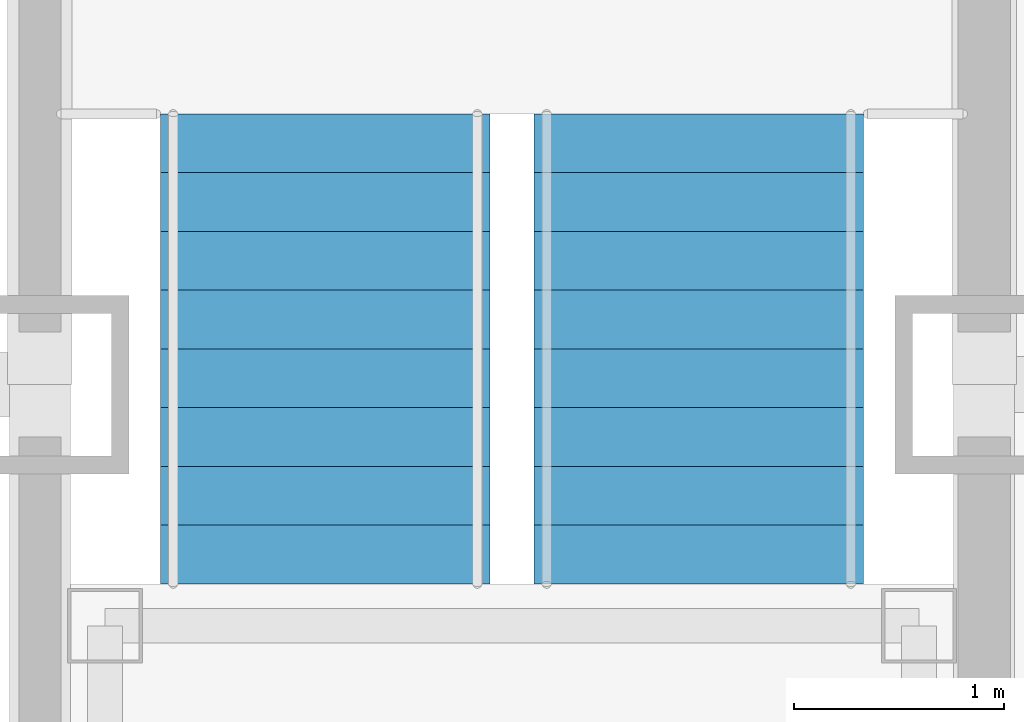
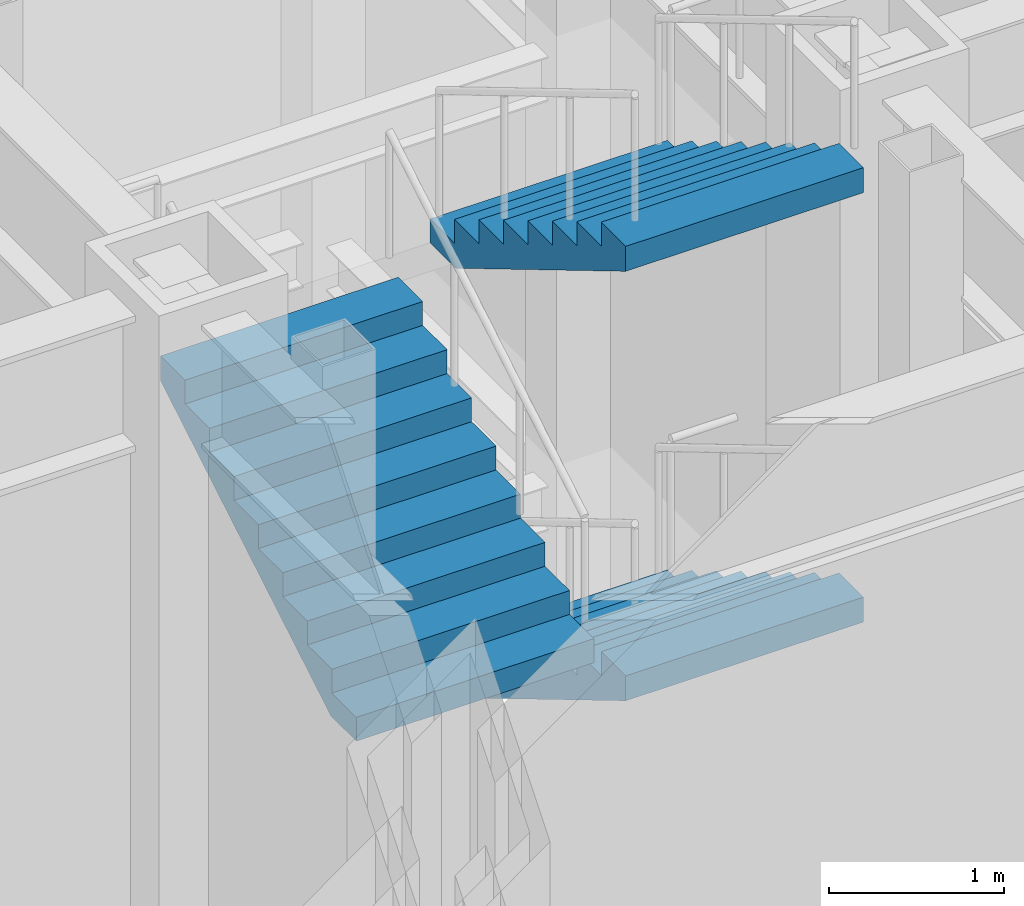
# One storey, part 22 of 31: 3 stair flights, 1 element without a shape of its own.
"""IFC4 building model written with IfcOpenShell, lengths in metres."""

from ifc_helpers import new_model, si_unit, direction, frame, origin, place, context, subcontext, project, spatial, faceted_brep, material, type_object, element, aggregate, save


model = new_model("IFC4")

# Units and contexts
model_context = context("Model", 3, precision=1e-05, world=origin(), true_north=direction((0.0, 1.0)))
body_context = subcontext(model_context, "Body", "Model", "MODEL_VIEW")
ifc_project = project(units=[si_unit("LENGTHUNIT", "METRE"), si_unit("AREAUNIT", "SQUARE_METRE"), si_unit("VOLUMEUNIT", "CUBIC_METRE"), si_unit("PLANEANGLEUNIT", "RADIAN"), si_unit("MASSUNIT", "GRAM", prefix="KILO")], contexts=[model_context])

# Site, building, storey
site_placement = place(None, origin())
site = spatial("IfcSite", under=ifc_project, at=site_placement, CompositionType="ELEMENT")
building_placement = place(site_placement, origin())
building = spatial("IfcBuilding", under=site, at=building_placement, Name="Chuquiago Exchange Tower", CompositionType="ELEMENT")
storey_placement = place(building_placement, frame((0.0, 0.0, 96.300048828125)))
storey = spatial("IfcBuildingStorey", under=building, at=storey_placement, Name="L20", CompositionType="ELEMENT", Elevation=96.300048828125)

# Stair, stair flights
ifc_material_1 = material(Name="Concrete C30/37, precast", Category="concrete")
stair_type = type_object("IfcStairType", Name="ST2 double half-turn stair 6000", PredefinedType="DOUBLE_RETURN_STAIR", material=ifc_material_1)
stair_placement = place(storey_placement, origin())
stair = element("IfcStair", 1, at=stair_placement, inside=storey, type_object=stair_type, Name="Stair ST2 L20", PredefinedType="DOUBLE_RETURN_STAIR")
ifc_material_2 = material(Name="Concrete C30/37, precast", Category="concrete")
stair_flight_type = type_object("IfcStairFlightType", Name="ST-F flight 1570 for 6000 storey", PredefinedType="STRAIGHT", material=ifc_material_2)
stair_flight_1_placement = place(storey_placement, frame((31.639892578125, 25.2900390625, 1.5), z_axis=(0.0, 0.0, 1.0), x_axis=(0.0, -1.0, 0.0)))
stair_flight_1 = element("IfcStairFlight", 2, at=stair_flight_1_placement, type_object=stair_flight_type, Name="ST2 flight 2", NumberOfRisers=9, NumberOfTreads=8, PredefinedType="STRAIGHT", RiserHeight=0.166666667, TreadLength=0.28, context=body_context, shape_type="Brep", body=[
    faceted_brep([(0.0, 0.78515625, 0.0), (0.0, 0.78515625, 0.166748046875), (0.280029296875, 0.78515625, 0.166748046875), (0.280029296875, 0.78515625, 0.333251953125), (0.56005859375, 0.78515625, 0.333251953125), (0.56005859375, 0.78515625, 0.5), (0.840087890625, 0.78515625, 0.5), (0.840087890625, 0.78515625, 0.666748046875), (1.1201171875, 0.78515625, 0.666748046875), (1.1201171875, 0.78515625, 0.833251953125), (1.39990234375, 0.78515625, 0.833251953125), (1.39990234375, 0.78515625, 1.0), (1.679931640625, 0.78515625, 1.0), (1.679931640625, 0.78515625, 1.166748046875), (1.9599609375, 0.78515625, 1.166748046875), (1.9599609375, 0.78515625, 1.333251953125), (2.239990234375, 0.78515625, 1.333251953125), (2.239990234375, 0.78515625, 1.158935546875), (0.29296875, 0.78515625, 0.0), (0.29296875, -0.78515625, 0.0), (2.239990234375, -0.78515625, 1.158935546875), (2.239990234375, -0.78515625, 1.333251953125), (1.9599609375, -0.78515625, 1.333251953125), (1.9599609375, -0.78515625, 1.166748046875), (1.679931640625, -0.78515625, 1.166748046875), (1.679931640625, -0.78515625, 1.0), (1.39990234375, -0.78515625, 1.0), (1.39990234375, -0.78515625, 0.833251953125), (1.1201171875, -0.78515625, 0.833251953125), (1.1201171875, -0.78515625, 0.666748046875), (0.840087890625, -0.78515625, 0.666748046875), (0.840087890625, -0.78515625, 0.5), (0.56005859375, -0.78515625, 0.5), (0.56005859375, -0.78515625, 0.333251953125), (0.280029296875, -0.78515625, 0.333251953125), (0.280029296875, -0.78515625, 0.166748046875), (0.0, -0.78515625, 0.166748046875), (0.0, -0.78515625, 0.0), (0.0, 0.392578125, 0.0), (0.0, 0.392578125, 0.166748046875), (0.0, 0.0, 0.0), (0.0, 0.0, 0.166748046875), (0.0, -0.392578125, 0.0), (0.0, -0.392578125, 0.166748046875), (0.280029296875, 0.392578125, 0.166748046875), (0.280029296875, 0.0, 0.166748046875), (0.280029296875, -0.392578125, 0.166748046875), (0.280029296875, 0.392578125, 0.333251953125), (0.280029296875, 0.0, 0.333251953125), (0.280029296875, -0.392578125, 0.333251953125), (0.56005859375, 0.392578125, 0.333251953125), (0.56005859375, 0.0, 0.333251953125), (0.56005859375, -0.392578125, 0.333251953125), (0.56005859375, 0.392578125, 0.5), (0.56005859375, 0.0, 0.5), (0.56005859375, -0.392578125, 0.5), (0.840087890625, 0.392578125, 0.5), (0.840087890625, 0.0, 0.5), (0.840087890625, -0.392578125, 0.5), (0.840087890625, 0.392578125, 0.666748046875), (0.840087890625, 0.0, 0.666748046875), (0.840087890625, -0.392578125, 0.666748046875), (1.1201171875, 0.392578125, 0.666748046875), (1.1201171875, 0.0, 0.666748046875), (1.1201171875, -0.392578125, 0.666748046875), (1.1201171875, 0.392578125, 0.833251953125), (1.1201171875, 0.0, 0.833251953125), (1.1201171875, -0.392578125, 0.833251953125), (1.39990234375, 0.392578125, 0.833251953125), (1.39990234375, 0.0, 0.833251953125), (1.39990234375, -0.392578125, 0.833251953125), (1.39990234375, 0.392578125, 1.0), (1.39990234375, 0.0, 1.0), (1.39990234375, -0.392578125, 1.0), (1.679931640625, 0.392578125, 1.0), (1.679931640625, 0.0, 1.0), (1.679931640625, -0.392578125, 1.0), (1.679931640625, 0.392578125, 1.166748046875), (1.679931640625, 0.0, 1.166748046875), (1.679931640625, -0.392578125, 1.166748046875), (1.9599609375, 0.392578125, 1.166748046875), (1.9599609375, 0.0, 1.166748046875), (1.9599609375, -0.392578125, 1.166748046875), (1.9599609375, 0.392578125, 1.333251953125), (1.9599609375, 0.0, 1.333251953125), (1.9599609375, -0.392578125, 1.333251953125), (2.239990234375, 0.392578125, 1.333251953125), (2.239990234375, 0.0, 1.333251953125), (2.239990234375, -0.392578125, 1.333251953125), (2.239990234375, 0.392578125, 1.158935546875), (2.239990234375, 0.0, 1.158935546875), (2.239990234375, -0.392578125, 1.158935546875), (0.29296875, 0.392578125, 0.0), (0.29296875, 0.0, 0.0), (0.29296875, -0.392578125, 0.0)], [[[0, 1, 2, 3, 4, 5, 6, 7, 8, 9, 10, 11, 12, 13, 14, 15, 16, 17, 18]], [[19, 20, 21, 22, 23, 24, 25, 26, 27, 28, 29, 30, 31, 32, 33, 34, 35, 36, 37]], [[1, 0, 38, 39]], [[39, 38, 40, 41]], [[41, 40, 42, 43]], [[43, 42, 37, 36]], [[2, 1, 39, 44]], [[44, 39, 41, 45]], [[45, 41, 43, 46]], [[46, 43, 36, 35]], [[3, 2, 44, 47]], [[47, 44, 45, 48]], [[48, 45, 46, 49]], [[49, 46, 35, 34]], [[4, 3, 47, 50]], [[50, 47, 48, 51]], [[51, 48, 49, 52]], [[52, 49, 34, 33]], [[5, 4, 50, 53]], [[53, 50, 51, 54]], [[54, 51, 52, 55]], [[55, 52, 33, 32]], [[6, 5, 53, 56]], [[56, 53, 54, 57]], [[57, 54, 55, 58]], [[58, 55, 32, 31]], [[7, 6, 56, 59]], [[59, 56, 57, 60]], [[60, 57, 58, 61]], [[61, 58, 31, 30]], [[8, 7, 59, 62]], [[62, 59, 60, 63]], [[63, 60, 61, 64]], [[64, 61, 30, 29]], [[9, 8, 62, 65]], [[65, 62, 63, 66]], [[66, 63, 64, 67]], [[67, 64, 29, 28]], [[10, 9, 65, 68]], [[68, 65, 66, 69]], [[69, 66, 67, 70]], [[70, 67, 28, 27]], [[11, 10, 68, 71]], [[71, 68, 69, 72]], [[72, 69, 70, 73]], [[73, 70, 27, 26]], [[12, 11, 71, 74]], [[74, 71, 72, 75]], [[75, 72, 73, 76]], [[76, 73, 26, 25]], [[13, 12, 74, 77]], [[77, 74, 75, 78]], [[78, 75, 76, 79]], [[79, 76, 25, 24]], [[14, 13, 77, 80]], [[80, 77, 78, 81]], [[81, 78, 79, 82]], [[82, 79, 24, 23]], [[15, 14, 80, 83]], [[83, 80, 81, 84]], [[84, 81, 82, 85]], [[85, 82, 23, 22]], [[16, 15, 83, 86]], [[86, 83, 84, 87]], [[87, 84, 85, 88]], [[88, 85, 22, 21]], [[17, 16, 86, 89]], [[89, 86, 87, 90]], [[90, 87, 88, 91]], [[91, 88, 21, 20]], [[18, 17, 89, 92]], [[92, 89, 90, 93]], [[93, 90, 91, 94]], [[94, 91, 20, 19]], [[0, 18, 92, 38]], [[38, 92, 93, 40]], [[40, 93, 94, 42]], [[42, 94, 19, 37]]]),
])
stair_flight_2_placement = place(storey_placement, frame((29.860107421875, 23.050048828125, 3.0), z_axis=(0.0, 0.0, 1.0), x_axis=(0.0, 1.0, 0.0)))
stair_flight_2 = element("IfcStairFlight", 3, at=stair_flight_2_placement, type_object=stair_flight_type, Name="ST2 flight 3", NumberOfRisers=9, NumberOfTreads=8, PredefinedType="STRAIGHT", RiserHeight=0.166666667, TreadLength=0.28, context=body_context, shape_type="Brep", body=[
    faceted_brep([(0.0, 0.78515625, 0.0), (0.0, 0.78515625, 0.166748046875), (0.280029296875, 0.78515625, 0.166748046875), (0.280029296875, 0.78515625, 0.333251953125), (0.56005859375, 0.78515625, 0.333251953125), (0.56005859375, 0.78515625, 0.5), (0.840087890625, 0.78515625, 0.5), (0.840087890625, 0.78515625, 0.666748046875), (1.1201171875, 0.78515625, 0.666748046875), (1.1201171875, 0.78515625, 0.833251953125), (1.39990234375, 0.78515625, 0.833251953125), (1.39990234375, 0.78515625, 1.0), (1.679931640625, 0.78515625, 1.0), (1.679931640625, 0.78515625, 1.166748046875), (1.9599609375, 0.78515625, 1.166748046875), (1.9599609375, 0.78515625, 1.333251953125), (2.239990234375, 0.78515625, 1.333251953125), (2.239990234375, 0.78515625, 1.158935546875), (0.29296875, 0.78515625, 0.0), (0.29296875, -0.78515625, 0.0), (2.239990234375, -0.78515625, 1.158935546875), (2.239990234375, -0.78515625, 1.333251953125), (1.9599609375, -0.78515625, 1.333251953125), (1.9599609375, -0.78515625, 1.166748046875), (1.679931640625, -0.78515625, 1.166748046875), (1.679931640625, -0.78515625, 1.0), (1.39990234375, -0.78515625, 1.0), (1.39990234375, -0.78515625, 0.833251953125), (1.1201171875, -0.78515625, 0.833251953125), (1.1201171875, -0.78515625, 0.666748046875), (0.840087890625, -0.78515625, 0.666748046875), (0.840087890625, -0.78515625, 0.5), (0.56005859375, -0.78515625, 0.5), (0.56005859375, -0.78515625, 0.333251953125), (0.280029296875, -0.78515625, 0.333251953125), (0.280029296875, -0.78515625, 0.166748046875), (0.0, -0.78515625, 0.166748046875), (0.0, -0.78515625, 0.0), (0.0, 0.392578125, 0.0), (0.0, 0.392578125, 0.166748046875), (0.0, 0.0, 0.0), (0.0, 0.0, 0.166748046875), (0.0, -0.392578125, 0.0), (0.0, -0.392578125, 0.166748046875), (0.280029296875, 0.392578125, 0.166748046875), (0.280029296875, 0.0, 0.166748046875), (0.280029296875, -0.392578125, 0.166748046875), (0.280029296875, 0.392578125, 0.333251953125), (0.280029296875, 0.0, 0.333251953125), (0.280029296875, -0.392578125, 0.333251953125), (0.56005859375, 0.392578125, 0.333251953125), (0.56005859375, 0.0, 0.333251953125), (0.56005859375, -0.392578125, 0.333251953125), (0.56005859375, 0.392578125, 0.5), (0.56005859375, 0.0, 0.5), (0.56005859375, -0.392578125, 0.5), (0.840087890625, 0.392578125, 0.5), (0.840087890625, 0.0, 0.5), (0.840087890625, -0.392578125, 0.5), (0.840087890625, 0.392578125, 0.666748046875), (0.840087890625, 0.0, 0.666748046875), (0.840087890625, -0.392578125, 0.666748046875), (1.1201171875, 0.392578125, 0.666748046875), (1.1201171875, 0.0, 0.666748046875), (1.1201171875, -0.392578125, 0.666748046875), (1.1201171875, 0.392578125, 0.833251953125), (1.1201171875, 0.0, 0.833251953125), (1.1201171875, -0.392578125, 0.833251953125), (1.39990234375, 0.392578125, 0.833251953125), (1.39990234375, 0.0, 0.833251953125), (1.39990234375, -0.392578125, 0.833251953125), (1.39990234375, 0.392578125, 1.0), (1.39990234375, 0.0, 1.0), (1.39990234375, -0.392578125, 1.0), (1.679931640625, 0.392578125, 1.0), (1.679931640625, 0.0, 1.0), (1.679931640625, -0.392578125, 1.0), (1.679931640625, 0.392578125, 1.166748046875), (1.679931640625, 0.0, 1.166748046875), (1.679931640625, -0.392578125, 1.166748046875), (1.9599609375, 0.392578125, 1.166748046875), (1.9599609375, 0.0, 1.166748046875), (1.9599609375, -0.392578125, 1.166748046875), (1.9599609375, 0.392578125, 1.333251953125), (1.9599609375, 0.0, 1.333251953125), (1.9599609375, -0.392578125, 1.333251953125), (2.239990234375, 0.392578125, 1.333251953125), (2.239990234375, 0.0, 1.333251953125), (2.239990234375, -0.392578125, 1.333251953125), (2.239990234375, 0.392578125, 1.158935546875), (2.239990234375, 0.0, 1.158935546875), (2.239990234375, -0.392578125, 1.158935546875), (0.29296875, 0.392578125, 0.0), (0.29296875, 0.0, 0.0), (0.29296875, -0.392578125, 0.0)], [[[0, 1, 2, 3, 4, 5, 6, 7, 8, 9, 10, 11, 12, 13, 14, 15, 16, 17, 18]], [[19, 20, 21, 22, 23, 24, 25, 26, 27, 28, 29, 30, 31, 32, 33, 34, 35, 36, 37]], [[1, 0, 38, 39]], [[39, 38, 40, 41]], [[41, 40, 42, 43]], [[43, 42, 37, 36]], [[2, 1, 39, 44]], [[44, 39, 41, 45]], [[45, 41, 43, 46]], [[46, 43, 36, 35]], [[3, 2, 44, 47]], [[47, 44, 45, 48]], [[48, 45, 46, 49]], [[49, 46, 35, 34]], [[4, 3, 47, 50]], [[50, 47, 48, 51]], [[51, 48, 49, 52]], [[52, 49, 34, 33]], [[5, 4, 50, 53]], [[53, 50, 51, 54]], [[54, 51, 52, 55]], [[55, 52, 33, 32]], [[6, 5, 53, 56]], [[56, 53, 54, 57]], [[57, 54, 55, 58]], [[58, 55, 32, 31]], [[7, 6, 56, 59]], [[59, 56, 57, 60]], [[60, 57, 58, 61]], [[61, 58, 31, 30]], [[8, 7, 59, 62]], [[62, 59, 60, 63]], [[63, 60, 61, 64]], [[64, 61, 30, 29]], [[9, 8, 62, 65]], [[65, 62, 63, 66]], [[66, 63, 64, 67]], [[67, 64, 29, 28]], [[10, 9, 65, 68]], [[68, 65, 66, 69]], [[69, 66, 67, 70]], [[70, 67, 28, 27]], [[11, 10, 68, 71]], [[71, 68, 69, 72]], [[72, 69, 70, 73]], [[73, 70, 27, 26]], [[12, 11, 71, 74]], [[74, 71, 72, 75]], [[75, 72, 73, 76]], [[76, 73, 26, 25]], [[13, 12, 74, 77]], [[77, 74, 75, 78]], [[78, 75, 76, 79]], [[79, 76, 25, 24]], [[14, 13, 77, 80]], [[80, 77, 78, 81]], [[81, 78, 79, 82]], [[82, 79, 24, 23]], [[15, 14, 80, 83]], [[83, 80, 81, 84]], [[84, 81, 82, 85]], [[85, 82, 23, 22]], [[16, 15, 83, 86]], [[86, 83, 84, 87]], [[87, 84, 85, 88]], [[88, 85, 22, 21]], [[17, 16, 86, 89]], [[89, 86, 87, 90]], [[90, 87, 88, 91]], [[91, 88, 21, 20]], [[18, 17, 89, 92]], [[92, 89, 90, 93]], [[93, 90, 91, 94]], [[94, 91, 20, 19]], [[0, 18, 92, 38]], [[38, 92, 93, 40]], [[40, 93, 94, 42]], [[42, 94, 19, 37]]]),
])
stair_flight_3_placement = place(storey_placement, frame((31.639892578125, 25.2900390625, 4.5), z_axis=(0.0, 0.0, 1.0), x_axis=(0.0, -1.0, 0.0)))
stair_flight_3 = element("IfcStairFlight", 4, at=stair_flight_3_placement, type_object=stair_flight_type, Name="ST2 flight 4", NumberOfRisers=9, NumberOfTreads=8, PredefinedType="STRAIGHT", RiserHeight=0.166666667, TreadLength=0.28, context=body_context, shape_type="Brep", body=[
    faceted_brep([(0.0, 0.78515625, 0.0), (0.0, 0.78515625, 0.166748046875), (0.280029296875, 0.78515625, 0.166748046875), (0.280029296875, 0.78515625, 0.333251953125), (0.56005859375, 0.78515625, 0.333251953125), (0.56005859375, 0.78515625, 0.5), (0.840087890625, 0.78515625, 0.5), (0.840087890625, 0.78515625, 0.666748046875), (1.1201171875, 0.78515625, 0.666748046875), (1.1201171875, 0.78515625, 0.833251953125), (1.39990234375, 0.78515625, 0.833251953125), (1.39990234375, 0.78515625, 1.0), (1.679931640625, 0.78515625, 1.0), (1.679931640625, 0.78515625, 1.166748046875), (1.9599609375, 0.78515625, 1.166748046875), (1.9599609375, 0.78515625, 1.333251953125), (2.239990234375, 0.78515625, 1.333251953125), (2.239990234375, 0.78515625, 1.158935546875), (0.29296875, 0.78515625, 0.0), (0.29296875, -0.78515625, 0.0), (2.239990234375, -0.78515625, 1.158935546875), (2.239990234375, -0.78515625, 1.333251953125), (1.9599609375, -0.78515625, 1.333251953125), (1.9599609375, -0.78515625, 1.166748046875), (1.679931640625, -0.78515625, 1.166748046875), (1.679931640625, -0.78515625, 1.0), (1.39990234375, -0.78515625, 1.0), (1.39990234375, -0.78515625, 0.833251953125), (1.1201171875, -0.78515625, 0.833251953125), (1.1201171875, -0.78515625, 0.666748046875), (0.840087890625, -0.78515625, 0.666748046875), (0.840087890625, -0.78515625, 0.5), (0.56005859375, -0.78515625, 0.5), (0.56005859375, -0.78515625, 0.333251953125), (0.280029296875, -0.78515625, 0.333251953125), (0.280029296875, -0.78515625, 0.166748046875), (0.0, -0.78515625, 0.166748046875), (0.0, -0.78515625, 0.0), (0.0, 0.392578125, 0.0), (0.0, 0.392578125, 0.166748046875), (0.0, 0.0, 0.0), (0.0, 0.0, 0.166748046875), (0.0, -0.392578125, 0.0), (0.0, -0.392578125, 0.166748046875), (0.280029296875, 0.392578125, 0.166748046875), (0.280029296875, 0.0, 0.166748046875), (0.280029296875, -0.392578125, 0.166748046875), (0.280029296875, 0.392578125, 0.333251953125), (0.280029296875, 0.0, 0.333251953125), (0.280029296875, -0.392578125, 0.333251953125), (0.56005859375, 0.392578125, 0.333251953125), (0.56005859375, 0.0, 0.333251953125), (0.56005859375, -0.392578125, 0.333251953125), (0.56005859375, 0.392578125, 0.5), (0.56005859375, 0.0, 0.5), (0.56005859375, -0.392578125, 0.5), (0.840087890625, 0.392578125, 0.5), (0.840087890625, 0.0, 0.5), (0.840087890625, -0.392578125, 0.5), (0.840087890625, 0.392578125, 0.666748046875), (0.840087890625, 0.0, 0.666748046875), (0.840087890625, -0.392578125, 0.666748046875), (1.1201171875, 0.392578125, 0.666748046875), (1.1201171875, 0.0, 0.666748046875), (1.1201171875, -0.392578125, 0.666748046875), (1.1201171875, 0.392578125, 0.833251953125), (1.1201171875, 0.0, 0.833251953125), (1.1201171875, -0.392578125, 0.833251953125), (1.39990234375, 0.392578125, 0.833251953125), (1.39990234375, 0.0, 0.833251953125), (1.39990234375, -0.392578125, 0.833251953125), (1.39990234375, 0.392578125, 1.0), (1.39990234375, 0.0, 1.0), (1.39990234375, -0.392578125, 1.0), (1.679931640625, 0.392578125, 1.0), (1.679931640625, 0.0, 1.0), (1.679931640625, -0.392578125, 1.0), (1.679931640625, 0.392578125, 1.166748046875), (1.679931640625, 0.0, 1.166748046875), (1.679931640625, -0.392578125, 1.166748046875), (1.9599609375, 0.392578125, 1.166748046875), (1.9599609375, 0.0, 1.166748046875), (1.9599609375, -0.392578125, 1.166748046875), (1.9599609375, 0.392578125, 1.333251953125), (1.9599609375, 0.0, 1.333251953125), (1.9599609375, -0.392578125, 1.333251953125), (2.239990234375, 0.392578125, 1.333251953125), (2.239990234375, 0.0, 1.333251953125), (2.239990234375, -0.392578125, 1.333251953125), (2.239990234375, 0.392578125, 1.158935546875), (2.239990234375, 0.0, 1.158935546875), (2.239990234375, -0.392578125, 1.158935546875), (0.29296875, 0.392578125, 0.0), (0.29296875, 0.0, 0.0), (0.29296875, -0.392578125, 0.0)], [[[0, 1, 2, 3, 4, 5, 6, 7, 8, 9, 10, 11, 12, 13, 14, 15, 16, 17, 18]], [[19, 20, 21, 22, 23, 24, 25, 26, 27, 28, 29, 30, 31, 32, 33, 34, 35, 36, 37]], [[1, 0, 38, 39]], [[39, 38, 40, 41]], [[41, 40, 42, 43]], [[43, 42, 37, 36]], [[2, 1, 39, 44]], [[44, 39, 41, 45]], [[45, 41, 43, 46]], [[46, 43, 36, 35]], [[3, 2, 44, 47]], [[47, 44, 45, 48]], [[48, 45, 46, 49]], [[49, 46, 35, 34]], [[4, 3, 47, 50]], [[50, 47, 48, 51]], [[51, 48, 49, 52]], [[52, 49, 34, 33]], [[5, 4, 50, 53]], [[53, 50, 51, 54]], [[54, 51, 52, 55]], [[55, 52, 33, 32]], [[6, 5, 53, 56]], [[56, 53, 54, 57]], [[57, 54, 55, 58]], [[58, 55, 32, 31]], [[7, 6, 56, 59]], [[59, 56, 57, 60]], [[60, 57, 58, 61]], [[61, 58, 31, 30]], [[8, 7, 59, 62]], [[62, 59, 60, 63]], [[63, 60, 61, 64]], [[64, 61, 30, 29]], [[9, 8, 62, 65]], [[65, 62, 63, 66]], [[66, 63, 64, 67]], [[67, 64, 29, 28]], [[10, 9, 65, 68]], [[68, 65, 66, 69]], [[69, 66, 67, 70]], [[70, 67, 28, 27]], [[11, 10, 68, 71]], [[71, 68, 69, 72]], [[72, 69, 70, 73]], [[73, 70, 27, 26]], [[12, 11, 71, 74]], [[74, 71, 72, 75]], [[75, 72, 73, 76]], [[76, 73, 26, 25]], [[13, 12, 74, 77]], [[77, 74, 75, 78]], [[78, 75, 76, 79]], [[79, 76, 25, 24]], [[14, 13, 77, 80]], [[80, 77, 78, 81]], [[81, 78, 79, 82]], [[82, 79, 24, 23]], [[15, 14, 80, 83]], [[83, 80, 81, 84]], [[84, 81, 82, 85]], [[85, 82, 23, 22]], [[16, 15, 83, 86]], [[86, 83, 84, 87]], [[87, 84, 85, 88]], [[88, 85, 22, 21]], [[17, 16, 86, 89]], [[89, 86, 87, 90]], [[90, 87, 88, 91]], [[91, 88, 21, 20]], [[18, 17, 89, 92]], [[92, 89, 90, 93]], [[93, 90, 91, 94]], [[94, 91, 20, 19]], [[0, 18, 92, 38]], [[38, 92, 93, 40]], [[40, 93, 94, 42]], [[42, 94, 19, 37]]]),
])
aggregate(stair, [stair_flight_1, stair_flight_2, stair_flight_3])

save(model, "model.ifc")
